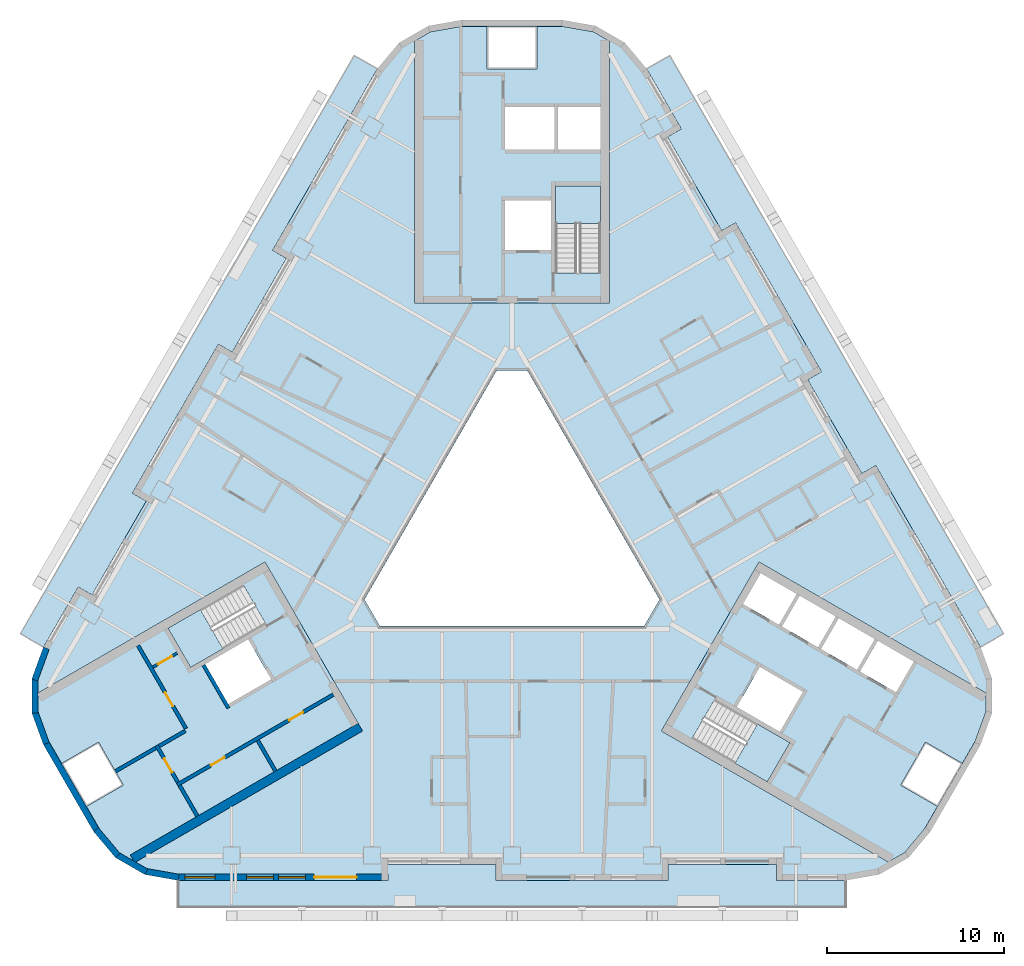
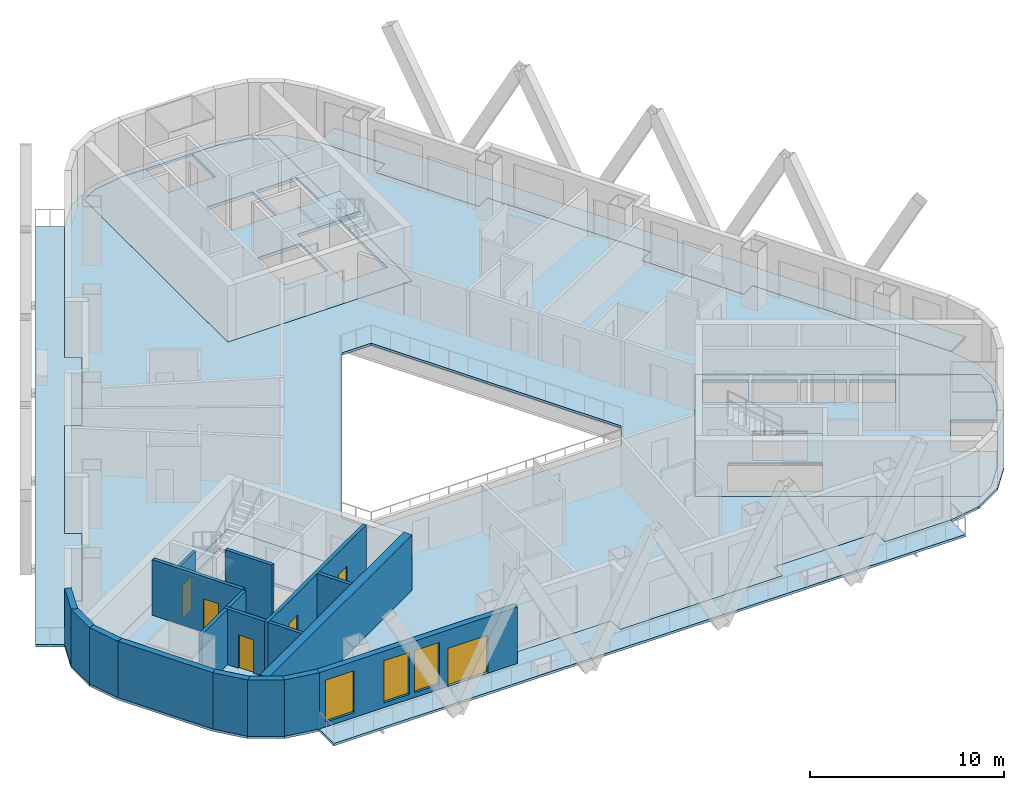
# One storey, part 2 of 13: 18 walls, 10 slabs, 6 doors, 3 windows, 9 openings, 3 elements without a shape of their own.
"""IFC4 building model written with IfcOpenShell, lengths in metres."""

from ifc_helpers import new_model, si_unit, direction, frame, frame_2d, origin, place, context, subcontext, project, spatial, polyline, rectangle, outline, extrude, material, layer, layer_set, type_object, element, fill, aggregate, save


model = new_model("IFC4")

# Units and contexts
model_context = context("Model", 3, precision=1e-05, world=origin(), true_north=direction((0.0, 1.0)))
body_context = subcontext(model_context, "Body", "Model", "MODEL_VIEW")
ifc_project = project(units=[si_unit("LENGTHUNIT", "METRE"), si_unit("AREAUNIT", "SQUARE_METRE"), si_unit("VOLUMEUNIT", "CUBIC_METRE"), si_unit("PLANEANGLEUNIT", "RADIAN"), si_unit("MASSUNIT", "GRAM", prefix="KILO")], contexts=[model_context])

# Site, building, storey
site_placement = place(None, origin())
site = spatial("IfcSite", under=ifc_project, at=site_placement, CompositionType="ELEMENT")
building_placement = place(site_placement, origin())
building = spatial("IfcBuilding", under=site, at=building_placement, Name="Apuvela Tower Hotel", CompositionType="ELEMENT")
storey_placement = place(building_placement, frame((0.0, 0.0, 83.5)))
storey = spatial("IfcBuildingStorey", under=building, at=storey_placement, Name="L18", CompositionType="ELEMENT", Elevation=83.5)

# Slabs
ifc_material_1 = material(Name="Concrete C50/60", Category="concrete")
ifc_layer_1 = layer(ifc_material_1, 0.199951171875)
ifc_layer_set_1 = layer_set([ifc_layer_1], Name="COR-FLOOR-200")
slab_type_1 = type_object("IfcSlabType", Name="COR-FLOOR-200", PredefinedType="FLOOR", material=ifc_layer_set_1)
slab_1_placement = place(storey_placement, frame((0.0, 0.0, -0.199951171875)))
element("IfcSlab", 1, at=slab_1_placement, inside=storey, type_object=slab_type_1, Name="Core floor N", PredefinedType="FLOOR", context=body_context, shape_type="SweptSolid", body=[
    extrude(outline(polyline([(5.5, 27.668212890625), (4.588623046875, 28.1943359375), (2.85498046875, 28.5), (1.39990234375, 28.5), (1.39990234375, 26.10009765625), (-1.39990234375, 26.10009765625), (-1.39990234375, 28.5), (-2.85498046875, 28.5), (-4.588623046875, 28.1943359375), (-5.5, 27.668212890625), (-5.5, 12.89990234375), (5.5, 12.89990234375), (5.5, 27.668212890625)]), holes=[polyline([(5.0, 14.60595703125), (2.449951171875, 14.60595703125), (2.449951171875, 19.5), (5.0, 19.5), (5.0, 14.60595703125)]), polyline([(2.199951171875, 15.89990234375), (-0.39990234375, 15.89990234375), (-0.39990234375, 18.699951171875), (2.199951171875, 18.699951171875), (2.199951171875, 15.89990234375)]), polyline([(5.0, 21.550048828125), (2.60009765625, 21.550048828125), (2.60009765625, 23.949951171875), (5.0, 23.949951171875), (5.0, 21.550048828125)]), polyline([(2.39990234375, 21.550048828125), (-0.39990234375, 21.550048828125), (-0.39990234375, 23.949951171875), (2.39990234375, 23.949951171875), (2.39990234375, 21.550048828125)])]), origin(), (0.0, 0.0, 1.0), 0.199951171875),
])
slab_2_placement = place(storey_placement, frame((0.0, 0.0, -0.199951171875)))
element("IfcSlab", 2, at=slab_2_placement, inside=storey, type_object=slab_type_1, Name="Core floor SW", PredefinedType="FLOOR", context=body_context, shape_type="SweptSolid", body=[
    extrude(outline(polyline([(-26.711181640625, -9.07080078125), (-26.711181640625, -10.123291015625), (-26.109375, -11.77734375), (-25.381591796875, -13.03759765625), (-23.30322265625, -11.837646484375), (-21.9033203125, -14.262451171875), (-23.981689453125, -15.46240234375), (-23.254150390625, -16.72265625), (-22.122802734375, -18.071044921875), (-21.211181640625, -18.59716796875), (-8.421630859375, -11.213134765625), (-13.921630859375, -1.68701171875), (-26.711181640625, -9.07080078125)]), holes=[polyline([(-13.874267578125, -5.18115234375), (-18.112548828125, -7.628173828125), (-19.387451171875, -5.419921875), (-15.149169921875, -2.972900390625), (-13.874267578125, -5.18115234375)]), polyline([(-13.56982421875, -8.29638671875), (-15.99462890625, -9.6962890625), (-17.294677734375, -7.444580078125), (-14.869873046875, -6.044677734375), (-13.56982421875, -8.29638671875)])]), origin(), (0.0, 0.0, 1.0), 0.199951171875),
])
slab_3_placement = place(storey_placement, frame((0.0, 0.0, -0.199951171875)))
element("IfcSlab", 3, at=slab_3_placement, inside=storey, type_object=slab_type_1, Name="Core floor SE", PredefinedType="FLOOR", context=body_context, shape_type="SweptSolid", body=[
    extrude(outline(polyline([(21.211181640625, -18.59716796875), (22.122802734375, -18.071044921875), (23.254150390625, -16.72265625), (23.981689453125, -15.46240234375), (21.9033203125, -14.262451171875), (23.30322265625, -11.837646484375), (25.381591796875, -13.03759765625), (26.109375, -11.77734375), (26.711181640625, -10.123291015625), (26.711181640625, -9.07080078125), (13.921630859375, -1.68701171875), (8.421630859375, -11.213134765625), (21.211181640625, -18.59716796875)]), holes=[polyline([(13.01806640625, -4.052001953125), (14.01806640625, -2.31982421875), (16.044677734375, -3.489990234375), (15.044677734375, -5.221923828125), (13.01806640625, -4.052001953125)]), polyline([(17.244384765625, -6.491943359375), (15.2177734375, -5.322021484375), (16.2177734375, -3.58984375), (18.244384765625, -4.760009765625), (17.244384765625, -6.491943359375)]), polyline([(14.387451171875, -14.080078125), (10.149169921875, -11.633056640625), (11.42431640625, -9.4248046875), (15.66259765625, -11.871826171875), (14.387451171875, -14.080078125)]), polyline([(12.669921875, -9.855224609375), (13.9697265625, -7.603515625), (16.394775390625, -9.003662109375), (15.0947265625, -11.25537109375), (12.669921875, -9.855224609375)]), polyline([(19.444091796875, -7.761962890625), (17.41748046875, -6.591796875), (18.41748046875, -4.85986328125), (20.444091796875, -6.02978515625), (19.444091796875, -7.761962890625)]), polyline([(21.643798828125, -9.031982421875), (19.6171875, -7.86181640625), (20.6171875, -6.1298828125), (22.643798828125, -7.2998046875), (21.643798828125, -9.031982421875)])]), origin(), (0.0, 0.0, 1.0), 0.199951171875),
])

# Stair, slab
stair_type = type_object("IfcStairType", Name="COR-STAIR-22R", PredefinedType="HALF_TURN_STAIR", material=ifc_material_1)
stair_1_placement = place(storey_placement, origin())
stair_1 = element("IfcStair", 4, at=stair_1_placement, inside=storey, type_object=stair_type, Name="L18 Exit stair ST1", PredefinedType="HALF_TURN_STAIR")
ifc_layer_2 = layer(ifc_material_1, 0.199951171875)
ifc_layer_set_2 = layer_set([ifc_layer_2], Name="COR-LANDING-200")
slab_type_2 = type_object("IfcSlabType", Name="COR-LANDING-200", PredefinedType="LANDING", material=ifc_layer_set_2)
slab_4_placement = place(storey_placement, frame((0.0, 0.0, 1.64990234375)))
slab_4 = element("IfcSlab", 5, at=slab_4_placement, type_object=slab_type_2, Name="ST1 landing 1", PredefinedType="LANDING", context=body_context, shape_type="SweptSolid", body=[
    extrude(outline(polyline([(5.0, 17.39404296875), (5.0, 19.5), (2.449951171875, 19.5), (2.449951171875, 17.39404296875), (5.0, 17.39404296875)])), origin(), (0.0, 0.0, 1.0), 0.2001953125),
])
aggregate(stair_1, [slab_4])

stair_2_placement = place(storey_placement, origin())
stair_2 = element("IfcStair", 6, at=stair_2_placement, inside=storey, type_object=stair_type, Name="L18 Exit stair ST2", PredefinedType="HALF_TURN_STAIR")
slab_5_placement = place(storey_placement, frame((0.0, 0.0, 1.64990234375)))
slab_5 = element("IfcSlab", 7, at=slab_5_placement, type_object=slab_type_2, Name="ST2 landing 1", PredefinedType="LANDING", context=body_context, shape_type="SweptSolid", body=[
    extrude(outline(polyline([(-17.563720703125, -4.366943359375), (-19.387451171875, -5.419921875), (-18.112548828125, -7.628173828125), (-16.28857421875, -6.5751953125), (-17.563720703125, -4.366943359375)])), origin(), (0.0, 0.0, 1.0), 0.2001953125),
])
aggregate(stair_2, [slab_5])

stair_3_placement = place(storey_placement, origin())
stair_3 = element("IfcStair", 8, at=stair_3_placement, inside=storey, type_object=stair_type, Name="L18 Exit stair ST3", PredefinedType="HALF_TURN_STAIR")
slab_6_placement = place(storey_placement, frame((0.0, 0.0, 1.64990234375)))
slab_6 = element("IfcSlab", 9, at=slab_6_placement, type_object=slab_type_2, Name="ST3 landing 1", PredefinedType="LANDING", context=body_context, shape_type="SweptSolid", body=[
    extrude(outline(polyline([(12.563720703125, -13.027099609375), (14.387451171875, -14.080078125), (15.66259765625, -11.871826171875), (13.838623046875, -10.81884765625), (12.563720703125, -13.027099609375)])), origin(), (0.0, 0.0, 1.0), 0.2001953125),
])
aggregate(stair_3, [slab_6])

# Slabs
ifc_material_2 = material(Name="Concrete C40/50, fair-faced", Category="concrete")
ifc_layer_3 = layer(ifc_material_2, 0.14990234375)
ifc_layer_set_3 = layer_set([ifc_layer_3], Name="ENV-BALCONY-150")
slab_type_3 = type_object("IfcSlabType", Name="ENV-BALCONY-150", PredefinedType="FLOOR", material=ifc_layer_set_3)
slab_7_placement = place(storey_placement, frame((0.0, 0.0, -0.14990234375)))
element("IfcSlab", 10, at=slab_7_placement, inside=storey, type_object=slab_type_3, Name="Balcony slab S L18", PredefinedType="FLOOR", context=body_context, shape_type="SweptSolid", body=[
    extrude(outline(polyline([(18.82080078125, -21.135009765625), (-18.82080078125, -21.135009765625), (-18.82080078125, -19.625), (-7.0048828125, -19.625), (-7.0048828125, -18.72509765625), (-0.89501953125, -18.72509765625), (-0.89501953125, -19.625), (8.794921875, -19.625), (8.794921875, -18.72509765625), (14.905029296875, -18.72509765625), (14.905029296875, -19.625), (18.82080078125, -19.625), (18.82080078125, -21.135009765625)])), origin(), (0.0, 0.0, 1.0), 0.14990234375),
])
slab_8_placement = place(storey_placement, frame((0.0, 0.0, -0.14990234375)))
element("IfcSlab", 11, at=slab_8_placement, inside=storey, type_object=slab_type_3, Name="Balcony slab NE L18", PredefinedType="FLOOR", context=body_context, shape_type="SweptSolid", body=[
    extrude(outline(polyline([(17.443359375, 9.037353515625), (12.598388671875, 17.42919921875), (11.81884765625, 16.979248046875), (8.763916015625, 22.2705078125), (9.543212890625, 22.720703125), (7.585205078125, 26.11181640625), (8.89306640625, 26.86669921875), (27.7138671875, -5.731689453125), (26.40625, -6.48681640625), (20.498291015625, 3.74609375), (19.71875, 3.2958984375), (16.663818359375, 8.58740234375), (17.443359375, 9.037353515625)])), origin(), (0.0, 0.0, 1.0), 0.14990234375),
])
slab_9_placement = place(storey_placement, frame((0.0, 0.0, -0.14990234375)))
element("IfcSlab", 12, at=slab_9_placement, inside=storey, type_object=slab_type_3, Name="Balcony slab NW L18", PredefinedType="FLOOR", context=body_context, shape_type="SweptSolid", body=[
    extrude(outline(polyline([(-27.7138671875, -5.731689453125), (-8.89306640625, 26.86669921875), (-7.585205078125, 26.11181640625), (-13.4931640625, 15.87890625), (-12.7138671875, 15.428955078125), (-15.768798828125, 10.1376953125), (-16.548095703125, 10.587646484375), (-21.393310546875, 2.19580078125), (-20.61376953125, 1.745849609375), (-23.668701171875, -3.545654296875), (-24.4482421875, -3.095703125), (-26.40625, -6.48681640625), (-27.7138671875, -5.731689453125)])), origin(), (0.0, 0.0, 1.0), 0.14990234375),
])
ifc_material_3 = material(Name="Concrete C35/45", Category="concrete")
ifc_layer_4 = layer(ifc_material_3, 0.14990234375)
ifc_layer_set_4 = layer_set([ifc_layer_4], Name="STR-SLAB 150 floor Concrete C35/45")
slab_type_4 = type_object("IfcSlabType", Name="STR-SLAB 150 floor Concrete C35/45", PredefinedType="FLOOR", material=ifc_layer_set_4)
slab_10_placement = place(storey_placement, frame((0.0, 0.0, -0.14990234375)))
element("IfcSlab", 13, at=slab_10_placement, inside=storey, type_object=slab_type_4, Name="Floor slab S4 L18", PredefinedType="FLOOR", context=body_context, shape_type="SweptSolid", body=[
    extrude(outline(polyline([(-6.3642578125, 27.5732421875), (-4.710205078125, 28.5283203125), (-2.8291015625, 28.860107421875), (2.8291015625, 28.860107421875), (4.710205078125, 28.5283203125), (6.3642578125, 27.5732421875), (7.59228515625, 26.110107421875), (9.550048828125, 22.71875), (8.770751953125, 22.268798828125), (11.82080078125, 16.986083984375), (12.60009765625, 17.43603515625), (17.4501953125, 9.035400390625), (16.670654296875, 8.58544921875), (19.720703125, 3.302734375), (20.5, 3.752685546875), (26.407958984375, -6.47998046875), (27.061279296875, -8.27490234375), (27.061279296875, -10.18505859375), (26.407958984375, -11.97998046875), (23.5791015625, -16.8798828125), (22.351318359375, -18.34326171875), (20.697021484375, -19.29833984375), (18.81591796875, -19.6298828125), (14.89990234375, -19.6298828125), (14.89990234375, -18.72998046875), (8.800048828125, -18.72998046875), (8.800048828125, -19.6298828125), (-0.89990234375, -19.6298828125), (-0.89990234375, -18.72998046875), (-7.0, -18.72998046875), (-7.0, -19.6298828125), (-18.81591796875, -19.6298828125), (-20.697021484375, -19.29833984375), (-22.351318359375, -18.34326171875), (-23.5791015625, -16.8798828125), (-26.407958984375, -11.97998046875), (-27.061279296875, -10.18505859375), (-27.061279296875, -8.27490234375), (-26.407958984375, -6.47998046875), (-24.4501953125, -3.088623046875), (-23.670654296875, -3.538818359375), (-20.62060546875, 1.743896484375), (-21.400146484375, 2.194091796875), (-16.550048828125, 10.594482421875), (-15.7705078125, 10.14453125), (-12.720703125, 15.42724609375), (-13.5, 15.877197265625), (-7.59228515625, 26.110107421875), (-6.3642578125, 27.5732421875)]), holes=[polyline([(0.865966796875, 9.10009765625), (-0.865966796875, 9.10009765625), (-8.313720703125, -3.800048828125), (-7.44775390625, -5.300048828125), (7.44775390625, -5.300048828125), (8.313720703125, -3.800048828125), (0.865966796875, 9.10009765625)]), polyline([(-5.5, 12.89990234375), (-5.5, 27.668212890625), (-4.588623046875, 28.1943359375), (-2.85498046875, 28.5), (2.85498046875, 28.5), (4.588623046875, 28.1943359375), (5.5, 27.668212890625), (5.5, 12.89990234375), (-5.5, 12.89990234375)]), polyline([(-8.421630859375, -11.213134765625), (-21.211181640625, -18.59716796875), (-22.122802734375, -18.071044921875), (-23.254150390625, -16.72265625), (-26.109375, -11.77734375), (-26.711181640625, -10.123291015625), (-26.711181640625, -9.07080078125), (-13.921630859375, -1.68701171875), (-8.421630859375, -11.213134765625)]), polyline([(13.921630859375, -1.68701171875), (26.711181640625, -9.07080078125), (26.711181640625, -10.123291015625), (26.109375, -11.77734375), (23.254150390625, -16.72265625), (22.122802734375, -18.071044921875), (21.211181640625, -18.59716796875), (8.421630859375, -11.213134765625), (13.921630859375, -1.68701171875)])]), origin(), (0.0, 0.0, 1.0), 0.14990234375),
])

# Wall
ifc_layer_5 = layer(ifc_material_1, 0.5)
ifc_layer_set_5 = layer_set([ifc_layer_5], Name="COR-WALL-CORE-500")
wall_type_1 = type_object("IfcWallType", Name="COR-WALL-CORE-500", PredefinedType="SHEAR", material=ifc_layer_set_5)
wall_1_placement = place(storey_placement, frame((-8.546630859375, -10.99658203125, 0.0), z_axis=(0.0, 0.0, 1.0), x_axis=(-0.866025009528, -0.500000682871, 0.0)))
element("IfcWall", 14, at=wall_1_placement, inside=storey, type_object=wall_type_1, Name="Core wall SW", PredefinedType="SHEAR", context=body_context, shape_type="SweptSolid", body=[
    extrude(rectangle(XDim=14.8369140625, YDim=0.5, at=frame_2d((7.41845703125, 0.0))), origin(), (0.0, 0.0, 1.0), 3.5),
])

# Wall, opening, door
ifc_material_4 = material(Name="Blockwork 150 mm plastered", Category="masonry")
ifc_layer_6 = layer(ifc_material_4, 0.14990234375)
ifc_layer_set_6 = layer_set([ifc_layer_6], Name="COR-WALL-PART-150")
wall_type_2 = type_object("IfcWallType", Name="COR-WALL-PART-150", PredefinedType="PARTITIONING", material=ifc_layer_set_6)
wall_2_placement = place(storey_placement, frame((-18.866455078125, -6.822265625, 0.0), z_axis=(0.0, 0.0, 1.0), x_axis=(-0.866028054938, -0.499995408039, 0.0)))
wall_2 = element("IfcWall", 15, at=wall_2_placement, inside=storey, type_object=wall_type_2, Name="Partition SW", PredefinedType="PARTITIONING", context=body_context, shape_type="SweptSolid", body=[
    extrude(rectangle(XDim=1.60009765625, YDim=0.14990234375, at=frame_2d((0.800048828125, 0.0))), origin(), (0.0, 0.0, 1.0), 3.5),
])
opening_1_placement = place(wall_2_placement, frame((0.35009765625, 0.0, 0.0)))
opening_1 = element("IfcOpeningElement", 16, at=opening_1_placement, cuts=wall_2, Name="Opening W-RD", PredefinedType="OPENING", context=body_context, shape_type="SweptSolid", body=[
    extrude(rectangle(XDim=0.89990234375, YDim=2.10009765625, at=frame_2d((0.449951171875, 1.050048828125))), frame((0.0, 0.0849609375, 0.0), z_axis=(0.0, -1.0, 0.0), x_axis=(1.0, 0.0, 0.0)), (0.0, 0.0, 1.0), 0.169921875),
])
ifc_material_5 = material(Name="Steel access door, powder coated", Category="steel")
door_type_1 = type_object("IfcDoorType", Name="COR-RD-900", OperationType="NOTDEFINED", PredefinedType="DOOR", material=ifc_material_5)
door_1_placement = place(opening_1_placement, frame((0.89990234375, 0.0, 0.0), z_axis=(0.0, 0.0, 1.0), x_axis=(-1.0, 0.0, 0.0)))
door_1 = element("IfcDoor", 17, at=door_1_placement, inside=storey, type_object=door_type_1, Name="Riser door W-RD", OperationType="SINGLE_SWING_RIGHT", OverallHeight=2.10009765625, OverallWidth=0.89990234375, PredefinedType="DOOR", context=body_context, shape_type="SweptSolid", body=[
    extrude(rectangle(XDim=0.89990234375, YDim=2.10009765625, at=frame_2d((0.449951171875, 1.050048828125))), frame((0.0, 0.02490234375, 0.0), z_axis=(0.0, -1.0, 0.0), x_axis=(1.0, 0.0, 0.0)), (0.0, 0.0, 1.0), 0.050048828125),
])
fill(opening_1, door_1)

ifc_material_6 = material(Name="Blockwork 200 mm plastered", Category="masonry")
ifc_layer_7 = layer(ifc_material_6, 0.199951171875)
ifc_layer_set_7 = layer_set([ifc_layer_7], Name="COR-WALL-PART-200")
wall_type_3 = type_object("IfcWallType", Name="COR-WALL-PART-200", PredefinedType="PARTITIONING", material=ifc_layer_set_7)
wall_3_placement = place(storey_placement, frame((-21.076171875, -6.39501953125, 0.0), z_axis=(0.0, 0.0, 1.0), x_axis=(0.50001468107, -0.866016927499, 0.0)))
wall_3 = element("IfcWall", 18, at=wall_3_placement, inside=storey, type_object=wall_type_3, Name="Partition SW", PredefinedType="PARTITIONING", context=body_context, shape_type="SweptSolid", body=[
    extrude(rectangle(XDim=5.399658203125, YDim=0.199951171875, at=frame_2d((2.69970703125, 0.0))), origin(), (0.0, 0.0, 1.0), 3.5),
])
opening_2_placement = place(wall_3_placement, frame((3.050048828125, 0.0, 0.0)))
opening_2 = element("IfcOpeningElement", 19, at=opening_2_placement, cuts=wall_3, Name="Opening W-RS1", PredefinedType="OPENING", context=body_context, shape_type="SweptSolid", body=[
    extrude(rectangle(XDim=0.89990234375, YDim=2.10009765625, at=frame_2d((0.449951171875, 1.050048828125))), frame((0.0, 0.10986328125, 0.0), z_axis=(0.0, -1.0, 0.0), x_axis=(1.0, 0.0, 0.0)), (0.0, 0.0, 1.0), 0.219970703125),
])
ifc_material_7 = material(Name="Steel fire door, powder coated", Category="steel")
door_type_2 = type_object("IfcDoorType", Name="COR-DR-900", OperationType="NOTDEFINED", PredefinedType="DOOR", material=ifc_material_7)
door_2_placement = place(opening_2_placement, frame((0.89990234375, 0.0, 0.0), z_axis=(0.0, 0.0, 1.0), x_axis=(-1.0, 0.0, 0.0)))
door_2 = element("IfcDoor", 20, at=door_2_placement, inside=storey, type_object=door_type_2, Name="Store door W-RS1", OperationType="SINGLE_SWING_LEFT", OverallHeight=2.10009765625, OverallWidth=0.89990234375, PredefinedType="DOOR", context=body_context, shape_type="SweptSolid", body=[
    extrude(rectangle(XDim=0.89990234375, YDim=2.10009765625, at=frame_2d((0.449951171875, 1.050048828125))), frame((0.0, 0.02490234375, 0.0), z_axis=(0.0, -1.0, 0.0), x_axis=(1.0, 0.0, 0.0)), (0.0, 0.0, 1.0), 0.050048828125),
])
fill(opening_2, door_2)

# Wall
ifc_layer_8 = layer(ifc_material_1, 0.199951171875)
ifc_layer_set_8 = layer_set([ifc_layer_8], Name="COR-WALL-SHAFT-200")
wall_type_4 = type_object("IfcWallType", Name="COR-WALL-SHAFT-200", PredefinedType="SHEAR", material=ifc_layer_set_8)
wall_4_placement = place(storey_placement, frame((-17.38134765625, -7.49462890625, 0.0), z_axis=(0.0, 0.0, 1.0), x_axis=(0.500011755427, -0.866018616679, 0.0)))
element("IfcWall", 21, at=wall_4_placement, inside=storey, type_object=wall_type_4, Name="Shaft wall SW", PredefinedType="SHEAR", context=body_context, shape_type="SweptSolid", body=[
    extrude(rectangle(XDim=2.80029296875, YDim=0.199951171875, at=frame_2d((1.400146484375, 0.0))), origin(), (0.0, 0.0, 1.0), 3.5),
])

# Wall, openings, doors
wall_5_placement = place(storey_placement, frame((-10.068115234375, -9.16162109375, 0.0), z_axis=(0.0, 0.0, 1.0), x_axis=(-0.866032725843, -0.499987317609, 0.0)))
wall_5 = element("IfcWall", 22, at=wall_5_placement, inside=storey, type_object=wall_type_4, Name="Shaft wall SW", PredefinedType="SHEAR", context=body_context, shape_type="SweptSolid", body=[
    extrude(rectangle(XDim=10.159912109375, YDim=0.199951171875, at=frame_2d((5.080078125, 0.0))), origin(), (0.0, 0.0, 1.0), 3.5),
])
opening_3_placement = place(wall_5_placement, frame((1.989990234375, 0.0, 0.0)))
opening_3 = element("IfcOpeningElement", 23, at=opening_3_placement, cuts=wall_5, Name="Opening W-RE1", PredefinedType="OPENING", context=body_context, shape_type="SweptSolid", body=[
    extrude(rectangle(XDim=0.89990234375, YDim=2.10009765625, at=frame_2d((0.449951171875, 1.050048828125))), frame((0.0, 0.10986328125, 0.0), z_axis=(0.0, -1.0, 0.0), x_axis=(1.0, 0.0, 0.0)), (0.0, 0.0, 1.0), 0.219970703125),
])
opening_4_placement = place(wall_5_placement, frame((7.070068359375, 0.0, 0.0)))
opening_4 = element("IfcOpeningElement", 24, at=opening_4_placement, cuts=wall_5, Name="Opening W-RE3", PredefinedType="OPENING", context=body_context, shape_type="SweptSolid", body=[
    extrude(rectangle(XDim=0.89990234375, YDim=2.10009765625, at=frame_2d((0.449951171875, 1.050048828125))), frame((0.0, 0.10986328125, 0.0), z_axis=(0.0, -1.0, 0.0), x_axis=(1.0, 0.0, 0.0)), (0.0, 0.0, 1.0), 0.219970703125),
])
door_3_placement = place(opening_3_placement, origin())
door_3 = element("IfcDoor", 25, at=door_3_placement, inside=storey, type_object=door_type_2, Name="Store door W-RE1", OperationType="SINGLE_SWING_LEFT", OverallHeight=2.10009765625, OverallWidth=0.89990234375, PredefinedType="DOOR", context=body_context, shape_type="SweptSolid", body=[
    extrude(rectangle(XDim=0.89990234375, YDim=2.10009765625, at=frame_2d((0.449951171875, 1.050048828125))), frame((0.0, 0.02490234375, 0.0), z_axis=(0.0, -1.0, 0.0), x_axis=(1.0, 0.0, 0.0)), (0.0, 0.0, 1.0), 0.050048828125),
])
fill(opening_3, door_3)
door_4_placement = place(opening_4_placement, origin())
door_4 = element("IfcDoor", 26, at=door_4_placement, inside=storey, type_object=door_type_2, Name="Store door W-RE3", OperationType="SINGLE_SWING_LEFT", OverallHeight=2.10009765625, OverallWidth=0.89990234375, PredefinedType="DOOR", context=body_context, shape_type="SweptSolid", body=[
    extrude(rectangle(XDim=0.89990234375, YDim=2.10009765625, at=frame_2d((0.449951171875, 1.050048828125))), frame((0.0, 0.02490234375, 0.0), z_axis=(0.0, -1.0, 0.0), x_axis=(1.0, 0.0, 0.0)), (0.0, 0.0, 1.0), 0.050048828125),
])
fill(opening_4, door_4)

# Wall, opening, door
wall_6_placement = place(storey_placement, frame((-20.030517578125, -12.0263671875, 0.0), z_axis=(0.0, 0.0, 1.0), x_axis=(0.500033551112, -0.866006032174, 0.0)))
wall_6 = element("IfcWall", 27, at=wall_6_placement, inside=storey, type_object=wall_type_4, Name="Shaft wall SW", PredefinedType="SHEAR", context=body_context, shape_type="SweptSolid", body=[
    extrude(rectangle(XDim=2.400146484375, YDim=0.199951171875, at=frame_2d((1.2001953125, 0.0))), origin(), (0.0, 0.0, 1.0), 3.5),
])
opening_5_placement = place(wall_6_placement, frame((0.85009765625, 0.0, 0.0)))
opening_5 = element("IfcOpeningElement", 28, at=opening_5_placement, cuts=wall_6, Name="Opening W-REP", PredefinedType="OPENING", context=body_context, shape_type="SweptSolid", body=[
    extrude(rectangle(XDim=0.89990234375, YDim=2.10009765625, at=frame_2d((0.449951171875, 1.050048828125))), frame((0.0, 0.10986328125, 0.0), z_axis=(0.0, -1.0, 0.0), x_axis=(1.0, 0.0, 0.0)), (0.0, 0.0, 1.0), 0.219970703125),
])
door_5_placement = place(opening_5_placement, frame((0.89990234375, 0.0, 0.0), z_axis=(0.0, 0.0, 1.0), x_axis=(-1.0, 0.0, 0.0)))
door_5 = element("IfcDoor", 29, at=door_5_placement, inside=storey, type_object=door_type_2, Name="Store door W-REP", OperationType="SINGLE_SWING_LEFT", OverallHeight=2.10009765625, OverallWidth=0.89990234375, PredefinedType="DOOR", context=body_context, shape_type="SweptSolid", body=[
    extrude(rectangle(XDim=0.89990234375, YDim=2.10009765625, at=frame_2d((0.449951171875, 1.050048828125))), frame((0.0, 0.02490234375, 0.0), z_axis=(0.0, -1.0, 0.0), x_axis=(1.0, 0.0, 0.0)), (0.0, 0.0, 1.0), 0.050048828125),
])
fill(opening_5, door_5)

# Walls
wall_7_placement = place(storey_placement, frame((-18.412841796875, -11.2080078125, 0.0), z_axis=(0.0, 0.0, 1.0), x_axis=(-0.866038183914, -0.499977863513, 0.0)))
element("IfcWall", 30, at=wall_7_placement, inside=storey, type_object=wall_type_4, Name="Shaft wall SW", PredefinedType="SHEAR", context=body_context, shape_type="SweptSolid", body=[
    extrude(rectangle(XDim=1.7099609375, YDim=0.199951171875, at=frame_2d((0.85498046875, 0.0))), origin(), (0.0, 0.0, 1.0), 3.5),
])
for number, where, z_axis, x_axis, name in (
    (31, (-14.330810546875, -11.738037109375, 0.0), (0.0, 0.0, 1.0), (0.499972520799, -0.866041268327, 0.0), "Shaft wall SW"),
    (32, (-18.73046875, -14.278076171875, 0.0), (0.0, 0.0, 1.0), (0.50002537861, -0.866010750942, 0.0), "Shaft wall SW"),
):
    element("IfcWall", number, at=place(storey_placement, frame(where, z_axis=z_axis, x_axis=x_axis)), inside=storey, type_object=wall_type_4, Name=name, PredefinedType="SHEAR", context=body_context, shape_type="SweptSolid", body=[
        extrude(rectangle(XDim=2.0, YDim=0.199951171875, at=frame_2d((1.0, 0.0))), origin(), (0.0, 0.0, 1.0), 3.5),
    ])
wall_8_placement = place(storey_placement, frame((-20.06689453125, -12.1630859375, 0.0), z_axis=(0.0, 0.0, 1.0), x_axis=(-0.866060851709, -0.499938597367, 0.0)))
element("IfcWall", 33, at=wall_8_placement, inside=storey, type_object=wall_type_4, Name="Shaft wall SW", PredefinedType="SHEAR", context=body_context, shape_type="SweptSolid", body=[
    extrude(rectangle(XDim=2.639892578125, YDim=0.199951171875, at=frame_2d((1.31982421875, 0.0))), origin(), (0.0, 0.0, 1.0), 3.5),
])
ifc_material_8 = material(Name="Concrete C40/50, dark pigmented precast panel", Category="concrete")
ifc_layer_9 = layer(ifc_material_8, 0.35009765625)
ifc_layer_set_9 = layer_set([ifc_layer_9], Name="ENV-WALL-350")
wall_type_5 = type_object("IfcWallType", Name="ENV-WALL-350", PredefinedType="SOLIDWALL", material=ifc_layer_set_9)
for number, where, z_axis, x_axis, name in (
    (34, (-26.24365234375, -6.539794921875, 0.0), (0.0, 0.0, 1.0), (-0.342030395486, -0.939688889242, 0.0), "External wall L18-10"),
    (35, (-26.88623046875, -8.27490234375, 0.0), (0.0, 0.0, 1.0), (0.0, -1.0, 0.0), "External wall L18-11"),
    (36, (-26.89697265625, -10.125244140625, 0.0), (0.0, 0.0, 1.0), (0.342030395486, -0.939688889242, 0.0), "External wall L18-12"),
):
    element("IfcWall", number, at=place(storey_placement, frame(where, z_axis=z_axis, x_axis=x_axis)), inside=storey, type_object=wall_type_5, Name=name, PredefinedType="SOLIDWALL", context=body_context, shape_type="SweptSolid", body=[
        extrude(rectangle(XDim=1.91015625, YDim=0.35009765625, at=frame_2d((0.955078125, 0.0))), origin(), (0.0, 0.0, 1.0), 3.550048828125),
    ])
wall_9_placement = place(storey_placement, frame((-26.256591796875, -11.892578125, 0.0), z_axis=(0.0, 0.0, 1.0), x_axis=(0.500018773155, -0.866014564827, 0.0)))
element("IfcWall", 37, at=wall_9_placement, inside=storey, type_object=wall_type_5, Name="External wall L18-13", PredefinedType="SOLIDWALL", context=body_context, shape_type="SweptSolid", body=[
    extrude(rectangle(XDim=5.657958984375, YDim=0.35009765625, at=frame_2d((2.8291015625, 0.0))), origin(), (0.0, 0.0, 1.0), 3.550048828125),
])
for number, where, z_axis, x_axis, name in (
    (38, (-23.44482421875, -16.767578125, 0.0), (0.0, 0.0, 1.0), (0.642733291068, -0.76609001857, 0.0), "External wall L18-14"),
    (39, (-22.263671875, -18.191650390625, 0.0), (0.0, 0.0, 1.0), (0.866000389056, -0.500043324278, 0.0), "External wall L18-15"),
):
    element("IfcWall", number, at=place(storey_placement, frame(where, z_axis=z_axis, x_axis=x_axis)), inside=storey, type_object=wall_type_5, Name=name, PredefinedType="SOLIDWALL", context=body_context, shape_type="SweptSolid", body=[
        extrude(rectangle(XDim=1.909912109375, YDim=0.35009765625, at=frame_2d((0.955078125, 0.0))), origin(), (0.0, 0.0, 1.0), 3.550048828125),
    ])
wall_10_placement = place(storey_placement, frame((-20.66650390625, -19.1259765625, 0.0), z_axis=(0.0, 0.0, 1.0), x_axis=(0.984798995425, -0.173697837091, 0.0)))
element("IfcWall", 40, at=wall_10_placement, inside=storey, type_object=wall_type_5, Name="External wall L18-16", PredefinedType="SOLIDWALL", context=body_context, shape_type="SweptSolid", body=[
    extrude(rectangle(XDim=1.91015625, YDim=0.35009765625, at=frame_2d((0.955078125, 0.0))), origin(), (0.0, 0.0, 1.0), 3.550048828125),
])

# Wall, openings, door, windows
wall_11_placement = place(storey_placement, frame((-18.81591796875, -19.455078125, 0.0), z_axis=(0.0, 0.0, 1.0), x_axis=(1.0, 0.0, 0.0)))
wall_11 = element("IfcWall", 41, at=wall_11_placement, inside=storey, type_object=wall_type_5, Name="External wall L18-17", PredefinedType="SOLIDWALL", context=body_context, shape_type="SweptSolid", body=[
    extrude(rectangle(XDim=11.81591796875, YDim=0.35009765625, at=frame_2d((5.907958984375, 0.0))), origin(), (0.0, 0.0, 1.0), 3.550048828125),
])
opening_6_placement = place(wall_11_placement, frame((0.380615234375, 0.0, 0.300048828125)))
opening_6 = element("IfcOpeningElement", 42, at=opening_6_placement, cuts=wall_11, Name="Opening WN17", PredefinedType="OPENING", context=body_context, shape_type="SweptSolid", body=[
    extrude(rectangle(XDim=1.699951171875, YDim=2.64990234375, at=frame_2d((0.85009765625, 1.324951171875))), frame((0.0, 0.18505859375, 0.0), z_axis=(0.0, -1.0, 0.0), x_axis=(1.0, 0.0, 0.0)), (0.0, 0.0, 1.0), 0.3701171875),
])
opening_7_placement = place(wall_11_placement, frame((7.665283203125, 0.0, 0.0)))
opening_7 = element("IfcOpeningElement", 43, at=opening_7_placement, cuts=wall_11, Name="Opening BD24", PredefinedType="OPENING", context=body_context, shape_type="SweptSolid", body=[
    extrude(rectangle(XDim=2.39990234375, YDim=2.39990234375, at=frame_2d((1.199951171875, 1.199951171875))), frame((0.0, 0.18505859375, 0.0), z_axis=(0.0, -1.0, 0.0), x_axis=(1.0, 0.0, 0.0)), (0.0, 0.0, 1.0), 0.3701171875),
])
opening_8_placement = place(wall_11_placement, frame((3.865966796875, 0.0, 0.300048828125)))
opening_8 = element("IfcOpeningElement", 44, at=opening_8_placement, cuts=wall_11, Name="Opening WN15", PredefinedType="OPENING", context=body_context, shape_type="SweptSolid", body=[
    extrude(rectangle(XDim=1.5, YDim=2.64990234375, at=frame_2d((0.75, 1.324951171875))), frame((0.0, 0.18505859375, 0.0), z_axis=(0.0, -1.0, 0.0), x_axis=(1.0, 0.0, 0.0)), (0.0, 0.0, 1.0), 0.3701171875),
])
opening_9_placement = place(wall_11_placement, frame((5.666015625, 0.0, 0.300048828125)))
opening_9 = element("IfcOpeningElement", 45, at=opening_9_placement, cuts=wall_11, Name="Opening WN15", PredefinedType="OPENING", context=body_context, shape_type="SweptSolid", body=[
    extrude(rectangle(XDim=1.5, YDim=2.64990234375, at=frame_2d((0.75, 1.324951171875))), frame((0.0, 0.18505859375, 0.0), z_axis=(0.0, -1.0, 0.0), x_axis=(1.0, 0.0, 0.0)), (0.0, 0.0, 1.0), 0.3701171875),
])
ifc_material_9 = material(Name="Aluminium 6063-T6, dark bronze anodised frame with dark tinted laminated glass", Category="aluminium")
door_type_3 = type_object("IfcDoorType", Name="ENV-DOOR-BALCONY-2400x2400", OperationType="SLIDING_TO_LEFT", PredefinedType="DOOR", material=ifc_material_9)
door_6_placement = place(opening_7_placement, frame((2.39990234375, 0.0, 0.0), z_axis=(0.0, 0.0, 1.0), x_axis=(-1.0, 0.0, 0.0)))
door_6 = element("IfcDoor", 46, at=door_6_placement, inside=storey, type_object=door_type_3, Name="Balcony door BD24", OperationType="SLIDING_TO_LEFT", OverallHeight=2.39990234375, OverallWidth=2.39990234375, PredefinedType="DOOR", context=body_context, shape_type="SweptSolid", body=[
    extrude(rectangle(XDim=2.39990234375, YDim=2.39990234375, at=frame_2d((1.199951171875, 1.199951171875))), frame((0.0, 0.02490234375, 0.0), z_axis=(0.0, -1.0, 0.0), x_axis=(1.0, 0.0, 0.0)), (0.0, 0.0, 1.0), 0.050048828125),
])
fill(opening_7, door_6)
ifc_material_10 = material(Name="Glass, dark tinted laminated insulated glazing unit", Category="glass")
window_type_1 = type_object("IfcWindowType", Name="ENV-WIN-1500x2650", PartitioningType="SINGLE_PANEL", PredefinedType="WINDOW", material=ifc_material_10)
window_1_placement = place(opening_8_placement, origin())
window_1 = element("IfcWindow", 47, at=window_1_placement, inside=storey, type_object=window_type_1, Name="Window WN15", OverallHeight=2.64990234375, OverallWidth=1.5, PartitioningType="SINGLE_PANEL", PredefinedType="WINDOW", context=body_context, shape_type="SweptSolid", body=[
    extrude(rectangle(XDim=1.5, YDim=2.64990234375, at=frame_2d((0.75, 1.324951171875))), frame((0.0, 0.030029296875, 0.0), z_axis=(0.0, -1.0, 0.0), x_axis=(1.0, 0.0, 0.0)), (0.0, 0.0, 1.0), 0.06005859375),
])
fill(opening_8, window_1)
window_2_placement = place(opening_9_placement, origin())
window_2 = element("IfcWindow", 48, at=window_2_placement, inside=storey, type_object=window_type_1, Name="Window WN15", OverallHeight=2.64990234375, OverallWidth=1.5, PartitioningType="SINGLE_PANEL", PredefinedType="WINDOW", context=body_context, shape_type="SweptSolid", body=[
    extrude(rectangle(XDim=1.5, YDim=2.64990234375, at=frame_2d((0.75, 1.324951171875))), frame((0.0, 0.030029296875, 0.0), z_axis=(0.0, -1.0, 0.0), x_axis=(1.0, 0.0, 0.0)), (0.0, 0.0, 1.0), 0.06005859375),
])
fill(opening_9, window_2)
window_type_2 = type_object("IfcWindowType", Name="ENV-WIN-1700x2650", PartitioningType="SINGLE_PANEL", PredefinedType="WINDOW", material=ifc_material_10)
window_3_placement = place(opening_6_placement, origin())
window_3 = element("IfcWindow", 49, at=window_3_placement, inside=storey, type_object=window_type_2, Name="Window WN17", OverallHeight=2.64990234375, OverallWidth=1.699951171875, PartitioningType="SINGLE_PANEL", PredefinedType="WINDOW", context=body_context, shape_type="SweptSolid", body=[
    extrude(rectangle(XDim=1.699951171875, YDim=2.64990234375, at=frame_2d((0.85009765625, 1.324951171875))), frame((0.0, 0.030029296875, 0.0), z_axis=(0.0, -1.0, 0.0), x_axis=(1.0, 0.0, 0.0)), (0.0, 0.0, 1.0), 0.06005859375),
])
fill(opening_6, window_3)

save(model, "model.ifc")
